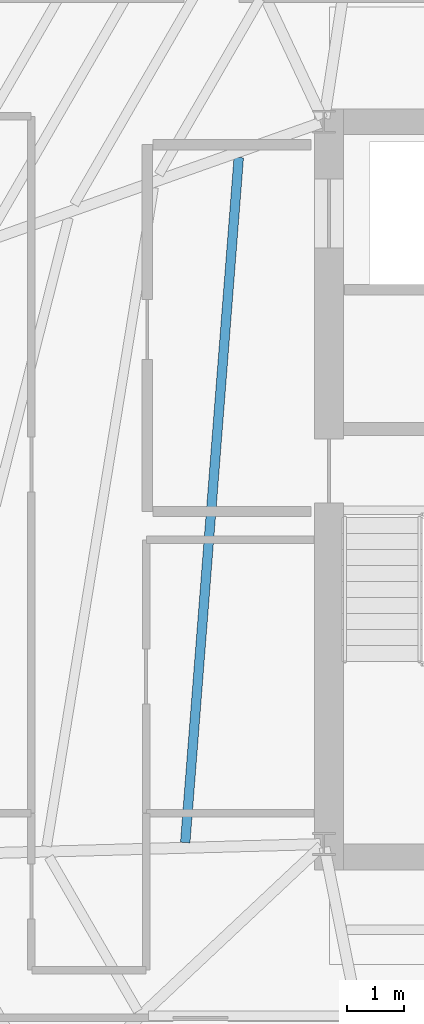
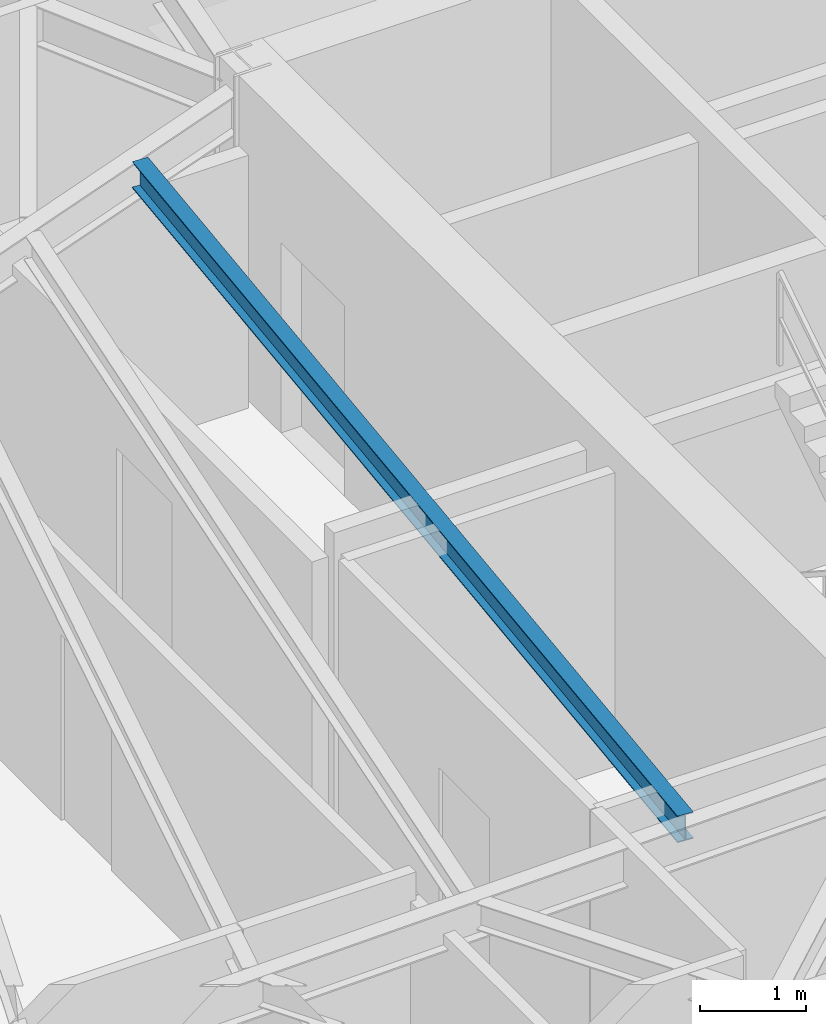
# One storey, part 13 of 42: 1 beam.
"""IFC4 building model written with IfcOpenShell, lengths in metres."""

from ifc_helpers import new_model, si_unit, direction, frame, origin, origin_2d, place, context, subcontext, project, spatial, i_section, extrude, source, transform, mapped, material, material_profile, profile_set, type_object, type_shapes, element, save


model = new_model("IFC4")

# Units and contexts
model_context = context("Model", 3, precision=1e-05, world=origin(), true_north=direction((0.0, 1.0)))
body_context = subcontext(model_context, "Body", "Model", "MODEL_VIEW")
ifc_project = project(units=[si_unit("LENGTHUNIT", "METRE"), si_unit("AREAUNIT", "SQUARE_METRE"), si_unit("VOLUMEUNIT", "CUBIC_METRE"), si_unit("PLANEANGLEUNIT", "RADIAN"), si_unit("MASSUNIT", "GRAM", prefix="KILO")], contexts=[model_context])

# Site, building, storey
site_placement = place(None, origin())
site = spatial("IfcSite", under=ifc_project, at=site_placement, CompositionType="ELEMENT")
building_placement = place(site_placement, origin())
building = spatial("IfcBuilding", under=site, at=building_placement, Name="Caelisora Broadcast Tower", CompositionType="ELEMENT")
storey_placement = place(building_placement, frame((0.0, 0.0, 205.949951171875)))
storey = spatial("IfcBuildingStorey", under=building, at=storey_placement, Name="L54", CompositionType="ELEMENT", Elevation=205.949951171875)

# Beam
ifc_material = material(Name="Steel Grade 350 (AS/NZS 3679.1)", Category="steel")
ifc_material_profile = material_profile(ifc_material, i_section(OverallWidth=0.166015625, OverallDepth=0.30712890625, WebThickness=0.006591796875, FlangeThickness=0.01171875, at=origin_2d()), Name="Steel Grade 350 (AS/NZS 3679.1)")
ifc_profile_set = profile_set([ifc_material_profile], Name="Steel Grade 350 (AS/NZS 3679.1)")
beam_type = type_object("IfcBeamType", Name="SB03", PredefinedType="JOIST", material=ifc_profile_set)
shared_shape = source(origin(), body_context, "Body", "SweptSolid", [
    extrude(i_section(OverallWidth=0.166015625, OverallDepth=0.30712890625, WebThickness=0.006591796875, FlangeThickness=0.01171875, at=origin_2d()), origin(), (0.0, 0.0, 1.0), 11.986328125),
])
type_shapes(beam_type, [shared_shape])
beam_placement = place(storey_placement, frame((29.0166015625, 29.37646484375, 3.246337890625), z_axis=(-0.077908228199, -0.996960534815, 0.0), x_axis=(0.996960534815, -0.077908228199, 0.0)))
element("IfcBeam", 1, at=beam_placement, inside=storey, type_object=beam_type, Name="L54 beam SB03", PredefinedType="JOIST", context=body_context, shape_type="MappedRepresentation", body=[
    mapped(shared_shape, transform((0.0, 0.0, 0.0), scale=1.0)),
])

save(model, "model.ifc")
